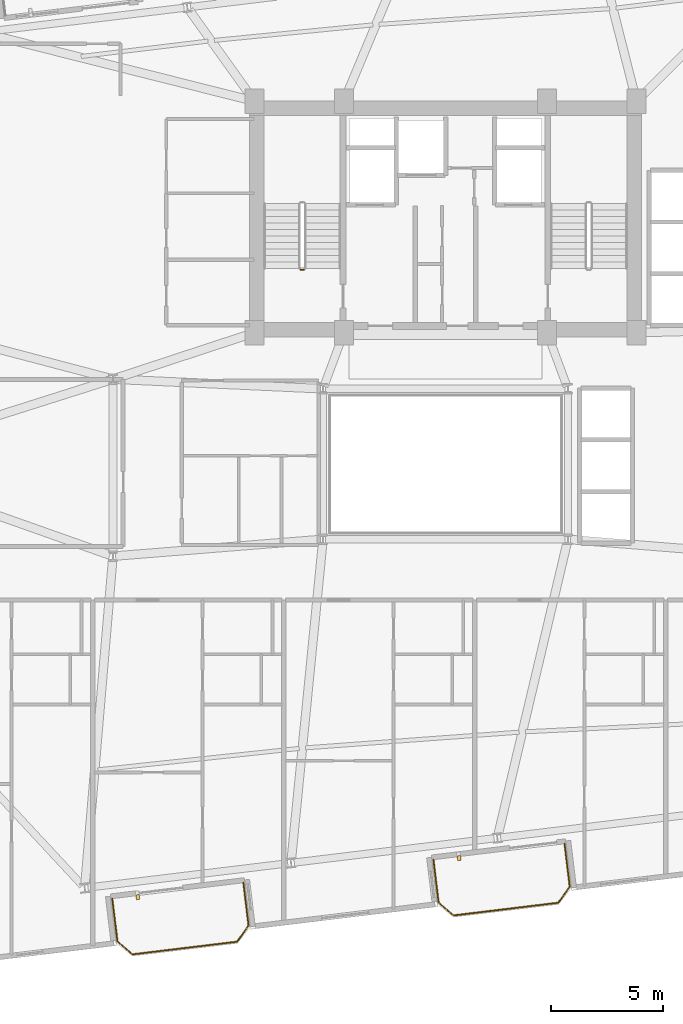
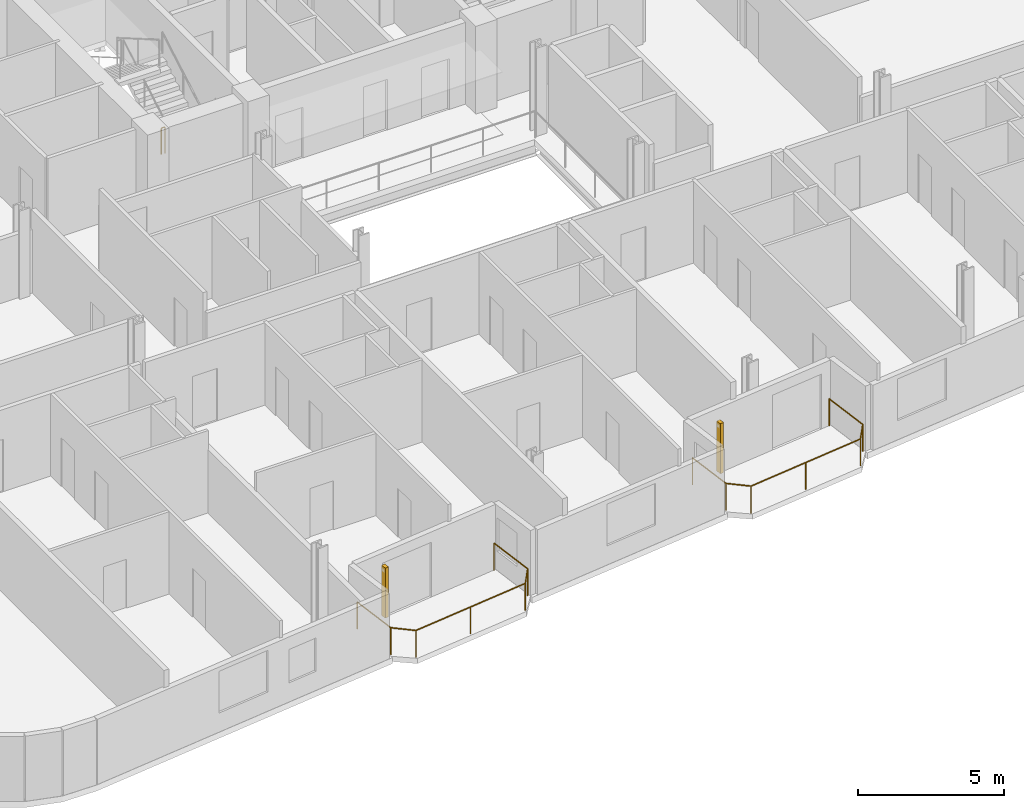
# One storey, part 20 of 23: 3 railings, 2 shading devices.
"""IFC4 building model written with IfcOpenShell, lengths in metres."""

from ifc_helpers import new_model, si_unit, direction, frame, origin, origin_2d, place, context, subcontext, project, spatial, rectangle, circle, extrude, source, transform, mapped, material, type_object, element, save


model = new_model("IFC4")

# Units and contexts
model_context = context("Model", 3, precision=1e-05, world=origin(), true_north=direction((0.0, 1.0)))
body_context = subcontext(model_context, "Body", "Model", "MODEL_VIEW")
ifc_project = project(units=[si_unit("LENGTHUNIT", "METRE"), si_unit("AREAUNIT", "SQUARE_METRE"), si_unit("VOLUMEUNIT", "CUBIC_METRE"), si_unit("PLANEANGLEUNIT", "RADIAN"), si_unit("MASSUNIT", "GRAM", prefix="KILO")], contexts=[model_context])

# Site, building, storey
site_placement = place(None, origin())
site = spatial("IfcSite", under=ifc_project, at=site_placement, CompositionType="ELEMENT")
building_placement = place(site_placement, origin())
building = spatial("IfcBuilding", under=site, at=building_placement, Name="Varnelok Gate Tower", CompositionType="ELEMENT")
storey_placement = place(building_placement, frame((0.0, 0.0, 189.39990234375)))
storey = spatial("IfcBuildingStorey", under=building, at=storey_placement, Name="L48", CompositionType="ELEMENT", Elevation=189.39990234375)

# Railings
ifc_material_1 = material(Name="Low-E Laminated Double Glazing IGU", Category="glass")
railing_type_1 = type_object("IfcRailingType", Name="RL-BALC-1150", PredefinedType="BALUSTRADE", material=ifc_material_1)
railing_1_placement = place(storey_placement, frame((24.368896484375, 3.55712890625, 0.0)))
element("IfcRailing", 1, at=railing_1_placement, inside=storey, type_object=railing_type_1, Name="L48 South Terrace Balustrade 1", PredefinedType="BALUSTRADE", context=body_context, shape_type="SweptSolid", body=[
    extrude(circle(Radius=0.02392578125, at=origin_2d()), frame((0.0, 0.0, 1.1259765625), z_axis=(0.120293392036, -0.992738384386, 0.0), x_axis=(0.992738384386, 0.120293392036, 0.0)), (0.0, 0.0, 1.0), 1.919921875),
    extrude(circle(Radius=0.02392578125, at=origin_2d()), frame((0.23095703125, -1.906005859375, 1.1259765625), z_axis=(0.756422670136, -0.654083132411, 0.0), x_axis=(0.654083132411, 0.756422670136, 0.0)), (0.0, 0.0, 1.0), 0.8779296875),
    extrude(circle(Radius=0.02392578125, at=origin_2d()), frame((0.89501953125, -2.480224609375, 1.1259765625), z_axis=(0.992736790351, 0.120306546306, 0.0), x_axis=(-0.120306546306, 0.992736790351, 0.0)), (0.0, 0.0, 1.0), 4.699951171875),
    extrude(circle(Radius=0.02392578125, at=origin_2d()), frame((5.560791015625, -1.914794921875, 1.1259765625), z_axis=(0.57815621837, 0.815926091726, 0.0), x_axis=(-0.815926091726, 0.57815621837, 0.0)), (0.0, 0.0, 1.0), 0.8779296875),
    extrude(circle(Radius=0.02392578125, at=origin_2d()), frame((6.068359375, -1.198486328125, 1.1259765625), z_axis=(-0.12040351024, 0.992725034802, 0.0), x_axis=(-0.992725034802, -0.12040351024, 0.0)), (0.0, 0.0, 1.0), 1.920166015625),
    extrude(circle(Radius=0.02099609375, at=origin_2d()), origin(), (0.0, 0.0, 1.0), 1.101806640625),
    extrude(circle(Radius=0.02099609375, at=origin_2d()), frame((0.23095703125, -1.906005859375, 0.0)), (0.0, 0.0, 1.0), 1.101806640625),
    extrude(circle(Radius=0.02099609375, at=origin_2d()), frame((0.89501953125, -2.480224609375, 0.0)), (0.0, 0.0, 1.0), 1.101806640625),
    extrude(circle(Radius=0.02099609375, at=origin_2d()), frame((3.22802734375, -2.197509765625, 0.0)), (0.0, 0.0, 1.0), 1.101806640625),
    extrude(circle(Radius=0.02099609375, at=origin_2d()), frame((5.560791015625, -1.914794921875, 0.0)), (0.0, 0.0, 1.0), 1.101806640625),
    extrude(circle(Radius=0.02099609375, at=origin_2d()), frame((6.068359375, -1.198486328125, 0.0)), (0.0, 0.0, 1.0), 1.101806640625),
    extrude(circle(Radius=0.02099609375, at=origin_2d()), frame((5.837158203125, 0.707763671875, 0.0)), (0.0, 0.0, 1.0), 1.101806640625),
])
railing_2_placement = place(storey_placement, frame((38.664306640625, 5.2900390625, 0.0)))
element("IfcRailing", 2, at=railing_2_placement, inside=storey, type_object=railing_type_1, Name="L48 South Terrace Balustrade 2", PredefinedType="BALUSTRADE", context=body_context, shape_type="SweptSolid", body=[
    extrude(circle(Radius=0.02392578125, at=origin_2d()), frame((0.0, 0.0, 1.1259765625), z_axis=(0.120293392036, -0.992738384386, 0.0), x_axis=(0.992738384386, 0.120293392036, 0.0)), (0.0, 0.0, 1.0), 1.919921875),
    extrude(circle(Radius=0.02392578125, at=origin_2d()), frame((0.23095703125, -1.906005859375, 1.1259765625), z_axis=(0.756303655992, -0.654220742513, 0.0), x_axis=(0.654220742513, 0.756303655992, 0.0)), (0.0, 0.0, 1.0), 0.877685546875),
    extrude(circle(Radius=0.02392578125, at=origin_2d()), frame((0.894775390625, -2.480224609375, 1.1259765625), z_axis=(0.99273133746, 0.120351533534, 0.0), x_axis=(-0.120351533534, 0.99273133746, 0.0)), (0.0, 0.0, 1.0), 4.7001953125),
    extrude(circle(Radius=0.02392578125, at=origin_2d()), frame((5.560791015625, -1.91455078125, 1.1259765625), z_axis=(0.577971037086, 0.816057277579, 0.0), x_axis=(-0.816057277579, 0.577971037086, 0.0)), (0.0, 0.0, 1.0), 0.877685546875),
    extrude(circle(Radius=0.02392578125, at=origin_2d()), frame((6.068115234375, -1.1982421875, 1.1259765625), z_axis=(-0.120293392036, 0.992738384386, 0.0), x_axis=(-0.992738384386, -0.120293392036, 0.0)), (0.0, 0.0, 1.0), 1.919921875),
    extrude(circle(Radius=0.02099609375, at=origin_2d()), origin(), (0.0, 0.0, 1.0), 1.101806640625),
    extrude(circle(Radius=0.02099609375, at=origin_2d()), frame((0.23095703125, -1.906005859375, 0.0)), (0.0, 0.0, 1.0), 1.101806640625),
    extrude(circle(Radius=0.02099609375, at=origin_2d()), frame((0.894775390625, -2.480224609375, 0.0)), (0.0, 0.0, 1.0), 1.101806640625),
    extrude(circle(Radius=0.02099609375, at=origin_2d()), frame((3.227783203125, -2.197265625, 0.0)), (0.0, 0.0, 1.0), 1.101806640625),
    extrude(circle(Radius=0.02099609375, at=origin_2d()), frame((5.560791015625, -1.91455078125, 0.0)), (0.0, 0.0, 1.0), 1.101806640625),
    extrude(circle(Radius=0.02099609375, at=origin_2d()), frame((6.068115234375, -1.1982421875, 0.0)), (0.0, 0.0, 1.0), 1.101806640625),
    extrude(circle(Radius=0.02099609375, at=origin_2d()), frame((5.837158203125, 0.707763671875, 0.0)), (0.0, 0.0, 1.0), 1.101806640625),
])
ifc_material_2 = material(Name="Galvanized Steel Grade S350GD", Category="steel")
railing_type_2 = type_object("IfcRailingType", Name="RL-STAIR-GUARD1120", PredefinedType="GUARDRAIL", material=ifc_material_2)
railing_3_placement = place(storey_placement, frame((32.89990234375, 31.550048828125, 0.0)))
element("IfcRailing", 3, at=railing_3_placement, inside=storey, type_object=railing_type_2, Name="L48 ST-1 stair guard 4", PredefinedType="GUARDRAIL", context=body_context, shape_type="SweptSolid", body=[
    extrude(circle(Radius=0.02392578125, at=origin_2d()), frame((0.0, 0.0, 1.09619140625), z_axis=(-1.0, 0.0, 0.0), x_axis=(0.0, -1.0, 0.0)), (0.0, 0.0, 1.0), 0.14990234375),
    extrude(circle(Radius=0.02099609375, at=origin_2d()), origin(), (0.0, 0.0, 1.0), 1.072021484375),
    extrude(circle(Radius=0.02099609375, at=origin_2d()), frame((-0.14990234375, 0.0, 0.0)), (0.0, 0.0, 1.0), 1.072021484375),
])

# Shading devices
ifc_material_3 = material(Name="Glazed Architectural Terracotta Ceramic", Category="masonry")
shading_device_type = type_object("IfcShadingDeviceType", Name="SHD-TERRA-BAGUETTE", PredefinedType="USERDEFINED", material=ifc_material_3)
shared_shape = source(origin(), body_context, "Body", "SweptSolid", [
    extrude(rectangle(XDim=0.139892578125, YDim=0.219970703125, at=origin_2d()), origin(), (0.0, 0.0, 1.0), 2.10009765625),
])
for number, where, z_axis, x_axis, name in (
    (4, (25.509033203125, 3.624755859375, 0.10009765625), (0.0, 0.0, 1.0), (0.992732158755, 0.12034475881, 0.0), "L48 Terracotta Ceramic Baguette Sunscreen 1.1"),
    (5, (39.80419921875, 5.35791015625, 0.10009765625), (0.0, 0.0, 1.0), (0.992732158755, 0.12034475881, 0.0), "L48 Terracotta Ceramic Baguette Sunscreen 2.1"),
):
    element("IfcShadingDevice", number, at=place(storey_placement, frame(where, z_axis=z_axis, x_axis=x_axis)), inside=storey, type_object=shading_device_type, Name=name, ObjectType="BAGUETTE", PredefinedType="USERDEFINED", context=body_context, shape_type="MappedRepresentation", body=[
        mapped(shared_shape, transform((0.0, 0.0, 0.0), scale=1.0)),
    ])

save(model, "model.ifc")
